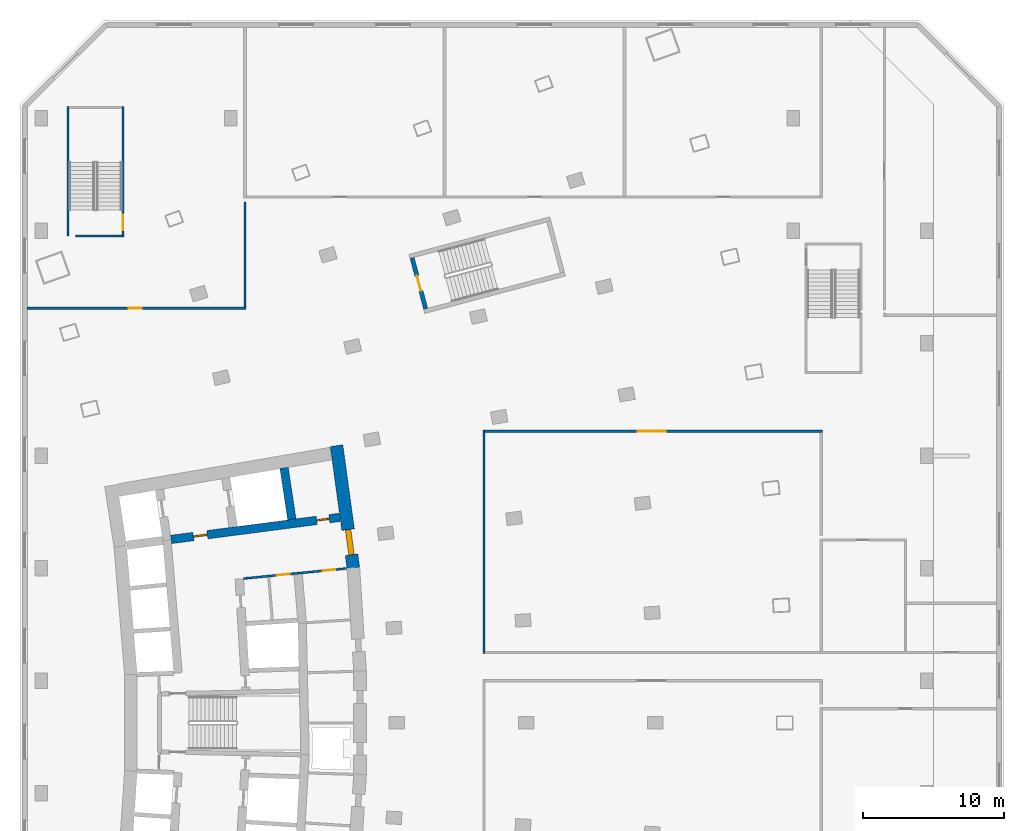
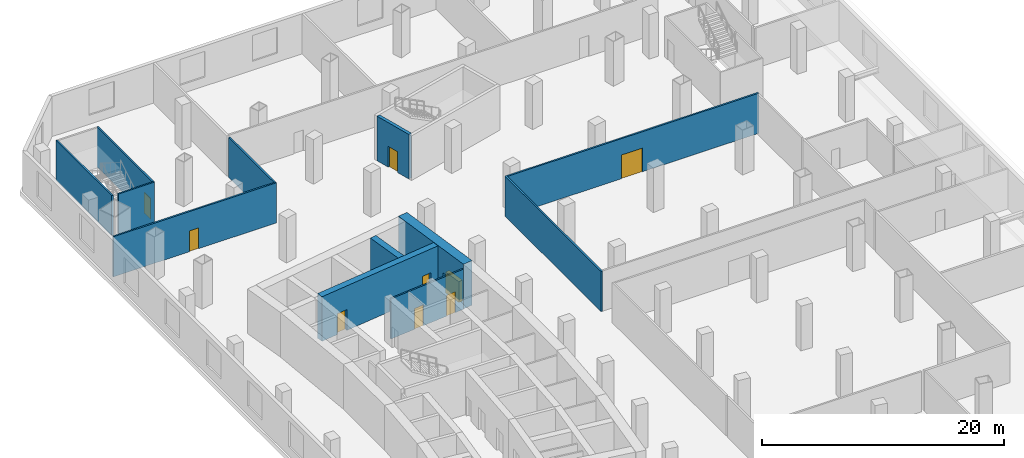
# One storey, part 8 of 16: 12 walls, 9 doors, 9 openings.
"""IFC4 building model written with IfcOpenShell, lengths in metres."""

from ifc_helpers import new_model, si_unit, direction, frame, frame_2d, origin, place, context, subcontext, project, spatial, rectangle, extrude, material, layer, layer_set, type_object, element, fill, save


model = new_model("IFC4")

# Units and contexts
model_context = context("Model", 3, precision=1e-05, world=origin(), true_north=direction((0.0, 1.0)))
body_context = subcontext(model_context, "Body", "Model", "MODEL_VIEW")
ifc_project = project(units=[si_unit("LENGTHUNIT", "METRE"), si_unit("AREAUNIT", "SQUARE_METRE"), si_unit("VOLUMEUNIT", "CUBIC_METRE"), si_unit("PLANEANGLEUNIT", "RADIAN"), si_unit("MASSUNIT", "GRAM", prefix="KILO")], contexts=[model_context])

# Site, building, storey
site_placement = place(None, origin())
site = spatial("IfcSite", under=ifc_project, at=site_placement, CompositionType="ELEMENT")
building_placement = place(site_placement, origin())
building = spatial("IfcBuilding", under=site, at=building_placement, Name="Alderwake Tower", CompositionType="ELEMENT")
storey_placement = place(building_placement, frame((0.0, 0.0, 18.5)))
storey = spatial("IfcBuildingStorey", under=building, at=storey_placement, Name="L03", CompositionType="ELEMENT", Elevation=18.5)

# Wall, openings, doors
ifc_material_1 = material(Name="Gypsum shaft wall system, rated")
ifc_layer_1 = layer(ifc_material_1, 0.14990234375)
ifc_layer_set_1 = layer_set([ifc_layer_1], Name="Core room partition 150")
wall_type_1 = type_object("IfcWallType", Name="Core room partition 150", PredefinedType="PARTITIONING", material=ifc_layer_set_1)
wall_1_placement = place(storey_placement, frame((32.233642578125, 71.982177734375, 0.0), z_axis=(0.0, 0.0, 1.0), x_axis=(-0.995245540971, -0.097397706226, 0.0)))
wall_1 = element("IfcWall", 1, at=wall_1_placement, inside=storey, type_object=wall_type_1, Name="CW/L03/PR+102_+86", PredefinedType="PARTITIONING", context=body_context, shape_type="SweptSolid", body=[
    extrude(rectangle(XDim=7.36962890625, YDim=0.14990234375, at=frame_2d((3.684814453125, 0.0))), origin(), (0.0, 0.0, 1.0), 4.050048828125),
])
opening_1_placement = place(wall_1_placement, frame((4.069580078125, 0.0, 0.0)))
opening_1 = element("IfcOpeningElement", 2, at=opening_1_placement, cuts=wall_1, Name="Opening C022", PredefinedType="OPENING", context=body_context, shape_type="SweptSolid", body=[
    extrude(rectangle(XDim=0.89990234375, YDim=2.10009765625, at=frame_2d((0.449951171875, 1.050048828125))), frame((0.0, 0.0849609375, 0.0), z_axis=(0.0, -1.0, 0.0), x_axis=(1.0, 0.0, 0.0)), (0.0, 0.0, 1.0), 0.169921875),
])
opening_2_placement = place(wall_1_placement, frame((0.819580078125, 0.0, 0.0)))
opening_2 = element("IfcOpeningElement", 3, at=opening_2_placement, cuts=wall_1, Name="Opening C036", PredefinedType="OPENING", context=body_context, shape_type="SweptSolid", body=[
    extrude(rectangle(XDim=0.89990234375, YDim=2.10009765625, at=frame_2d((0.449951171875, 1.050048828125))), frame((0.0, 0.0849609375, 0.0), z_axis=(0.0, -1.0, 0.0), x_axis=(1.0, 0.0, 0.0)), (0.0, 0.0, 1.0), 0.169921875),
])
ifc_material_2 = material(Name="Painted steel leaf", Category="steel")
door_type_1 = type_object("IfcDoorType", Name="Core room door 900", OperationType="SINGLE_SWING_LEFT", PredefinedType="DOOR", material=ifc_material_2)
door_1_placement = place(opening_1_placement, origin())
door_1 = element("IfcDoor", 4, at=door_1_placement, inside=storey, type_object=door_type_1, Name="Room door", OperationType="SINGLE_SWING_RIGHT", OverallHeight=2.10009765625, OverallWidth=0.89990234375, PredefinedType="DOOR", context=body_context, shape_type="SweptSolid", body=[
    extrude(rectangle(XDim=0.89990234375, YDim=2.10009765625, at=frame_2d((0.449951171875, 1.050048828125))), frame((0.0, 0.02490234375, 0.0), z_axis=(0.0, -1.0, 0.0), x_axis=(1.0, 0.0, 0.0)), (0.0, 0.0, 1.0), 0.050048828125),
])
fill(opening_1, door_1)
door_2_placement = place(opening_2_placement, origin())
door_2 = element("IfcDoor", 5, at=door_2_placement, inside=storey, type_object=door_type_1, Name="Room door", OperationType="SINGLE_SWING_LEFT", OverallHeight=2.10009765625, OverallWidth=0.89990234375, PredefinedType="DOOR", context=body_context, shape_type="SweptSolid", body=[
    extrude(rectangle(XDim=0.89990234375, YDim=2.10009765625, at=frame_2d((0.449951171875, 1.050048828125))), frame((0.0, 0.02490234375, 0.0), z_axis=(0.0, -1.0, 0.0), x_axis=(1.0, 0.0, 0.0)), (0.0, 0.0, 1.0), 0.050048828125),
])
fill(opening_2, door_2)

# Wall, opening, door
ifc_material_3 = material(Name="Concrete C70/85", Category="concrete")
ifc_layer_2 = layer(ifc_material_3, 0.89990234375)
ifc_layer_set_2 = layer_set([ifc_layer_2], Name="Core wall outer 900 C70-85")
wall_type_2 = type_object("IfcWallType", Name="Core wall outer 900 C70-85", PredefinedType="SHEAR", material=ifc_layer_set_2)
wall_2_placement = place(storey_placement, frame((31.520263671875, 80.7177734375, 0.0), z_axis=(0.0, 0.0, 1.0), x_axis=(0.135844728876, -0.990730139663, 0.0)))
wall_2 = element("IfcWall", 6, at=wall_2_placement, inside=storey, type_object=wall_type_2, Name="Core wall CW.009", PredefinedType="SHEAR", context=body_context, shape_type="SweptSolid", body=[
    extrude(rectangle(XDim=8.78662109375, YDim=0.89990234375, at=frame_2d((4.393310546875, 0.0))), origin(), (0.0, 0.0, 1.0), 4.5),
])
opening_3_placement = place(wall_2_placement, frame((6.02978515625, 0.0, 0.0)))
opening_3 = element("IfcOpeningElement", 7, at=opening_3_placement, cuts=wall_2, Name="Opening C001", PredefinedType="OPENING", context=body_context, shape_type="SweptSolid", body=[
    extrude(rectangle(XDim=1.800048828125, YDim=2.10009765625, at=frame_2d((0.89990234375, 1.050048828125))), frame((0.0, 0.4599609375, 0.0), z_axis=(0.0, -1.0, 0.0), x_axis=(1.0, 0.0, 0.0)), (0.0, 0.0, 1.0), 0.919921875),
])
ifc_material_4 = material(Name="Steel-framed fire door leaves", Category="steel")
door_type_2 = type_object("IfcDoorType", Name="Core double door 1800 fire-rated", OperationType="DOUBLE_DOOR_SINGLE_SWING", PredefinedType="DOOR", material=ifc_material_4)
door_3_placement = place(opening_3_placement, origin())
door_3 = element("IfcDoor", 8, at=door_3_placement, inside=storey, type_object=door_type_2, Name="Lobby double door", OperationType="DOUBLE_DOOR_SINGLE_SWING", OverallHeight=2.10009765625, OverallWidth=1.800048828125, PredefinedType="DOOR", context=body_context, shape_type="SweptSolid", body=[
    extrude(rectangle(XDim=1.800048828125, YDim=2.10009765625, at=frame_2d((0.89990234375, 1.050048828125))), frame((0.0, 0.199951171875, 0.0), z_axis=(0.0, -1.0, 0.0), x_axis=(1.0, 0.0, 0.0)), (0.0, 0.0, 1.0), 0.39990234375),
])
fill(opening_3, door_3)

# Wall
ifc_material_5 = material(Name="Concrete C70/85", Category="concrete")
ifc_layer_3 = layer(ifc_material_5, 0.60009765625)
ifc_layer_set_3 = layer_set([ifc_layer_3], Name="Core wall spine 600 C70-85")
wall_type_3 = type_object("IfcWallType", Name="Core wall spine 600 C70-85", PredefinedType="SHEAR", material=ifc_layer_set_3)
wall_3_placement = place(storey_placement, frame((28.337646484375, 75.472412109375, 0.0), z_axis=(0.0, 0.0, 1.0), x_axis=(-0.149224787751, 0.988803298296, 0.0)))
element("IfcWall", 9, at=wall_3_placement, inside=storey, type_object=wall_type_3, Name="Core wall CW.001", PredefinedType="SHEAR", context=body_context, shape_type="SweptSolid", body=[
    extrude(rectangle(XDim=3.712158203125, YDim=0.60009765625, at=frame_2d((1.85595703125, 0.0))), origin(), (0.0, 0.0, 1.0), 4.5),
])

# Wall, openings, doors
wall_4_placement = place(storey_placement, frame((31.735595703125, 75.6142578125, 0.0), z_axis=(0.0, 0.0, 1.0), x_axis=(-0.991553829991, -0.129695806526, 0.0)))
wall_4 = element("IfcWall", 10, at=wall_4_placement, inside=storey, type_object=wall_type_3, Name="Core wall CW.052", PredefinedType="SHEAR", context=body_context, shape_type="SweptSolid", body=[
    extrude(rectangle(XDim=12.0869140625, YDim=0.60009765625, at=frame_2d((6.04345703125, 0.0))), origin(), (0.0, 0.0, 1.0), 4.5),
])
opening_4_placement = place(wall_4_placement, frame((9.4873046875, 0.0, 0.0)))
opening_4 = element("IfcOpeningElement", 11, at=opening_4_placement, cuts=wall_4, Name="Opening C002", PredefinedType="OPENING", context=body_context, shape_type="SweptSolid", body=[
    extrude(rectangle(XDim=1.0, YDim=2.10009765625, at=frame_2d((0.5, 1.050048828125))), frame((0.0, 0.31005859375, 0.0), z_axis=(0.0, -1.0, 0.0), x_axis=(1.0, 0.0, 0.0)), (0.0, 0.0, 1.0), 0.6201171875),
])
opening_5_placement = place(wall_4_placement, frame((0.7373046875, 0.0, 0.0)))
opening_5 = element("IfcOpeningElement", 12, at=opening_5_placement, cuts=wall_4, Name="Opening C020", PredefinedType="OPENING", context=body_context, shape_type="SweptSolid", body=[
    extrude(rectangle(XDim=0.89990234375, YDim=2.10009765625, at=frame_2d((0.449951171875, 1.050048828125))), frame((0.0, 0.31005859375, 0.0), z_axis=(0.0, -1.0, 0.0), x_axis=(1.0, 0.0, 0.0)), (0.0, 0.0, 1.0), 0.6201171875),
])
door_4_placement = place(opening_5_placement, origin())
door_4 = element("IfcDoor", 13, at=door_4_placement, inside=storey, type_object=door_type_1, Name="Room door", OperationType="SINGLE_SWING_LEFT", OverallHeight=2.10009765625, OverallWidth=0.89990234375, PredefinedType="DOOR", context=body_context, shape_type="SweptSolid", body=[
    extrude(rectangle(XDim=0.89990234375, YDim=2.10009765625, at=frame_2d((0.449951171875, 1.050048828125))), frame((0.0, 0.050048828125, 0.0), z_axis=(0.0, -1.0, 0.0), x_axis=(1.0, 0.0, 0.0)), (0.0, 0.0, 1.0), 0.10009765625),
])
fill(opening_5, door_4)
ifc_material_6 = material(Name="Steel-framed fire door leaf", Category="steel")
door_type_3 = type_object("IfcDoorType", Name="Firefighting lobby door 1000 fire-rated", OperationType="SINGLE_SWING_LEFT", PredefinedType="DOOR", material=ifc_material_6)
door_5_placement = place(opening_4_placement, origin())
door_5 = element("IfcDoor", 14, at=door_5_placement, inside=storey, type_object=door_type_3, Name="Firefighting lobby door", OperationType="SINGLE_SWING_RIGHT", OverallHeight=2.10009765625, OverallWidth=1.0, PredefinedType="DOOR", context=body_context, shape_type="SweptSolid", body=[
    extrude(rectangle(XDim=1.0, YDim=2.10009765625, at=frame_2d((0.5, 1.050048828125))), frame((0.0, 0.050048828125, 0.0), z_axis=(0.0, -1.0, 0.0), x_axis=(1.0, 0.0, 0.0)), (0.0, 0.0, 1.0), 0.10009765625),
])
fill(opening_4, door_5)

# Wall, opening, door
ifc_material_7 = material(Name="Concrete C70/85", Category="concrete")
ifc_layer_4 = layer(ifc_material_7, 0.300048828125)
ifc_layer_set_4 = layer_set([ifc_layer_4], Name="Core wall stair enclosure 300 C70-85")
wall_type_4 = type_object("IfcWallType", Name="Core wall stair enclosure 300 C70-85", PredefinedType="SHEAR", material=ifc_layer_set_4)
wall_5_placement = place(storey_placement, frame((37.8603515625, 90.452392578125, 0.0), z_axis=(0.0, 0.0, 1.0), x_axis=(-0.257411420208, 0.966301899381, 0.0)))
wall_5 = element("IfcWall", 15, at=wall_5_placement, inside=storey, type_object=wall_type_4, Name="Core wall CW.083", PredefinedType="SHEAR", context=body_context, shape_type="SweptSolid", body=[
    extrude(rectangle(XDim=3.750244140625, YDim=0.300048828125, at=frame_2d((1.875, 0.0))), origin(), (0.0, 0.0, 1.0), 4.5),
])
opening_6_placement = place(wall_5_placement, frame((1.324951171875, 0.0, 0.0)))
opening_6 = element("IfcOpeningElement", 16, at=opening_6_placement, cuts=wall_5, Name="Opening C062", PredefinedType="OPENING", context=body_context, shape_type="SweptSolid", body=[
    extrude(rectangle(XDim=1.10009765625, YDim=2.10009765625, at=frame_2d((0.550048828125, 1.050048828125))), frame((0.0, 0.159912109375, 0.0), z_axis=(0.0, -1.0, 0.0), x_axis=(1.0, 0.0, 0.0)), (0.0, 0.0, 1.0), 0.320068359375),
])
ifc_material_8 = material(Name="Steel-framed fire door leaf", Category="steel")
door_type_4 = type_object("IfcDoorType", Name="Core stair door 1100 fire-rated", OperationType="SINGLE_SWING_LEFT", PredefinedType="DOOR", material=ifc_material_8)
door_6_placement = place(opening_6_placement, origin())
door_6 = element("IfcDoor", 17, at=door_6_placement, inside=storey, type_object=door_type_4, Name="Stair door", OperationType="SINGLE_SWING_RIGHT", OverallHeight=2.10009765625, OverallWidth=1.10009765625, PredefinedType="DOOR", context=body_context, shape_type="SweptSolid", body=[
    extrude(rectangle(XDim=1.10009765625, YDim=2.10009765625, at=frame_2d((0.550048828125, 1.050048828125))), frame((0.0, 0.02490234375, 0.0), z_axis=(0.0, -1.0, 0.0), x_axis=(1.0, 0.0, 0.0)), (0.0, 0.0, 1.0), 0.050048828125),
])
fill(opening_6, door_6)

ifc_material_9 = material(Name="Gypsum board on metal studs, rated")
ifc_layer_5 = layer(ifc_material_9, 0.159912109375)
ifc_layer_set_5 = layer_set([ifc_layer_5], Name="Corridor wall 160")
wall_type_5 = type_object("IfcWallType", Name="Corridor wall 160", PredefinedType="PARTITIONING", material=ifc_layer_set_5)
wall_6_placement = place(storey_placement, frame((25.0791015625, 90.5009765625, 0.0), z_axis=(0.0, 0.0, 1.0), x_axis=(-1.0, 0.0, 0.0)))
wall_6 = element("IfcWall", 18, at=wall_6_placement, inside=storey, type_object=wall_type_5, Name="WL/L03/W30", PredefinedType="PARTITIONING", context=body_context, shape_type="SweptSolid", body=[
    extrude(rectangle(XDim=15.578125, YDim=0.159912109375, at=frame_2d((7.7890625, 0.0))), origin(), (0.0, 0.0, 1.0), 4.050048828125),
])
opening_7_placement = place(wall_6_placement, frame((7.428955078125, 0.0, 0.0)))
opening_7 = element("IfcOpeningElement", 19, at=opening_7_placement, cuts=wall_6, Name="Opening L03-03", PredefinedType="OPENING", context=body_context, shape_type="SweptSolid", body=[
    extrude(rectangle(XDim=0.89990234375, YDim=2.10009765625, at=frame_2d((0.449951171875, 1.050048828125))), frame((0.0, 0.08984375, 0.0), z_axis=(0.0, -1.0, 0.0), x_axis=(1.0, 0.0, 0.0)), (0.0, 0.0, 1.0), 0.179931640625),
])
ifc_material_10 = material(Name="Painted timber leaf", Category="wood")
door_type_5 = type_object("IfcDoorType", Name="Room door 900", OperationType="SINGLE_SWING_LEFT", PredefinedType="DOOR", material=ifc_material_10)
door_7_placement = place(opening_7_placement, origin())
door_7 = element("IfcDoor", 20, at=door_7_placement, inside=storey, type_object=door_type_5, Name="DR/L03/03", OperationType="SINGLE_SWING_LEFT", OverallHeight=2.10009765625, OverallWidth=0.89990234375, PredefinedType="DOOR", context=body_context, shape_type="SweptSolid", body=[
    extrude(rectangle(XDim=0.89990234375, YDim=2.10009765625, at=frame_2d((0.449951171875, 1.050048828125))), frame((0.0, 0.02490234375, 0.0), z_axis=(0.0, -1.0, 0.0), x_axis=(1.0, 0.0, 0.0)), (0.0, 0.0, 1.0), 0.050048828125),
])
fill(opening_7, door_7)

# Walls
wall_7_placement = place(storey_placement, frame((24.9990234375, 98.066650390625, 0.0), z_axis=(0.0, 0.0, 1.0), x_axis=(0.0, -1.0, 0.0)))
element("IfcWall", 21, at=wall_7_placement, inside=storey, type_object=wall_type_5, Name="WL/L03/W31", PredefinedType="PARTITIONING", context=body_context, shape_type="SweptSolid", body=[
    extrude(rectangle(XDim=7.485595703125, YDim=0.159912109375, at=frame_2d((3.74267578125, 0.0))), origin(), (0.0, 0.0, 1.0), 4.050048828125),
])
wall_8_placement = place(storey_placement, frame((42.0, 65.919921875, 0.0), z_axis=(0.0, 0.0, 1.0), x_axis=(0.0, 1.0, 0.0)))
element("IfcWall", 22, at=wall_8_placement, inside=storey, type_object=wall_type_5, Name="WL/L03/W38", PredefinedType="PARTITIONING", context=body_context, shape_type="SweptSolid", body=[
    extrude(rectangle(XDim=15.91015625, YDim=0.159912109375, at=frame_2d((7.955078125, 0.0))), origin(), (0.0, 0.0, 1.0), 4.050048828125),
])

# Wall, opening, door
wall_9_placement = place(storey_placement, frame((42.080078125, 81.75, 0.0), z_axis=(0.0, 0.0, 1.0), x_axis=(1.0, 0.0, 0.0)))
wall_9 = element("IfcWall", 23, at=wall_9_placement, inside=storey, type_object=wall_type_5, Name="WL/L03/W39", PredefinedType="PARTITIONING", context=body_context, shape_type="SweptSolid", body=[
    extrude(rectangle(XDim=24.0, YDim=0.159912109375, at=frame_2d((12.0, 0.0))), origin(), (0.0, 0.0, 1.0), 4.050048828125),
])
opening_8_placement = place(wall_9_placement, frame((10.8701171875, 0.0, 0.0)))
opening_8 = element("IfcOpeningElement", 24, at=opening_8_placement, cuts=wall_9, Name="Opening L03-02", PredefinedType="OPENING", context=body_context, shape_type="SweptSolid", body=[
    extrude(rectangle(XDim=2.0, YDim=2.39990234375, at=frame_2d((1.0, 1.199951171875))), frame((0.0, 0.08984375, 0.0), z_axis=(0.0, -1.0, 0.0), x_axis=(1.0, 0.0, 0.0)), (0.0, 0.0, 1.0), 0.179931640625),
])
ifc_material_11 = material(Name="Timber leaves with glazed panels", Category="wood")
door_type_6 = type_object("IfcDoorType", Name="Hall double door 2000", OperationType="DOUBLE_DOOR_SINGLE_SWING", PredefinedType="DOOR", material=ifc_material_11)
door_8_placement = place(opening_8_placement, origin())
door_8 = element("IfcDoor", 25, at=door_8_placement, inside=storey, type_object=door_type_6, Name="DR/L03/02", OperationType="DOUBLE_DOOR_SINGLE_SWING", OverallHeight=2.39990234375, OverallWidth=2.0, PredefinedType="DOOR", context=body_context, shape_type="SweptSolid", body=[
    extrude(rectangle(XDim=2.0, YDim=2.39990234375, at=frame_2d((1.0, 1.199951171875))), frame((0.0, 0.02490234375, 0.0), z_axis=(0.0, -1.0, 0.0), x_axis=(1.0, 0.0, 0.0)), (0.0, 0.0, 1.0), 0.050048828125),
])
fill(opening_8, door_8)

# Walls
ifc_material_12 = material(Name="Gypsum shaft wall system, rated")
ifc_layer_6 = layer(ifc_material_12, 0.14990234375)
ifc_layer_set_6 = layer_set([ifc_layer_6], Name="Riser and shaft wall 150")
wall_type_6 = type_object("IfcWallType", Name="Riser and shaft wall 150", PredefinedType="PARTITIONING", material=ifc_layer_set_6)
wall_10_placement = place(storey_placement, frame((12.947998046875, 95.625, 0.0), z_axis=(0.0, 0.0, 1.0), x_axis=(1.0, 0.0, 0.0)))
element("IfcWall", 26, at=wall_10_placement, inside=storey, type_object=wall_type_6, Name="WL/L03/W12", PredefinedType="PARTITIONING", context=body_context, shape_type="SweptSolid", body=[
    extrude(rectangle(XDim=3.452880859375, YDim=0.14990234375, at=frame_2d((1.7265625, 0.0))), origin(), (0.0, 0.0, 1.0), 4.050048828125),
])
ifc_material_13 = material(Name="Concrete C40/50", Category="concrete")
ifc_layer_7 = layer(ifc_material_13, 0.14990234375)
ifc_layer_set_7 = layer_set([ifc_layer_7], Name="Stair shaft wall 150 C40/50")
wall_type_7 = type_object("IfcWallType", Name="Stair shaft wall 150 C40/50", PredefinedType="SHEAR", material=ifc_layer_set_7)
wall_11_placement = place(storey_placement, frame((12.426025390625, 104.85009765625, 0.0), z_axis=(0.0, 0.0, 1.0), x_axis=(0.0, -1.0, 0.0)))
element("IfcWall", 27, at=wall_11_placement, inside=storey, type_object=wall_type_7, Name="WL/L03/W11", PredefinedType="SHEAR", context=body_context, shape_type="SweptSolid", body=[
    extrude(rectangle(XDim=9.216064453125, YDim=0.14990234375, at=frame_2d((4.60791015625, 0.0))), origin(), (0.0, 0.0, 1.0), 4.050048828125),
])

# Wall, opening, door
wall_12_placement = place(storey_placement, frame((16.325927734375, 95.699951171875, 0.0), z_axis=(0.0, 0.0, 1.0), x_axis=(0.0, 1.0, 0.0)))
wall_12 = element("IfcWall", 28, at=wall_12_placement, inside=storey, type_object=wall_type_7, Name="WL/L03/W15", PredefinedType="SHEAR", context=body_context, shape_type="SweptSolid", body=[
    extrude(rectangle(XDim=9.150146484375, YDim=0.14990234375, at=frame_2d((4.5751953125, 0.0))), origin(), (0.0, 0.0, 1.0), 4.050048828125),
])
opening_9_placement = place(wall_12_placement, frame((0.35009765625, 0.0, 0.0)))
opening_9 = element("IfcOpeningElement", 29, at=opening_9_placement, cuts=wall_12, Name="Opening L03-17", PredefinedType="OPENING", context=body_context, shape_type="SweptSolid", body=[
    extrude(rectangle(XDim=1.10009765625, YDim=2.10009765625, at=frame_2d((0.550048828125, 1.050048828125))), frame((0.0, 0.0849609375, 0.0), z_axis=(0.0, -1.0, 0.0), x_axis=(1.0, 0.0, 0.0)), (0.0, 0.0, 1.0), 0.169921875),
])
ifc_material_14 = material(Name="Steel-framed fire door leaf", Category="steel")
door_type_7 = type_object("IfcDoorType", Name="Stair door 1100 fire-rated", OperationType="SINGLE_SWING_LEFT", PredefinedType="DOOR", material=ifc_material_14)
door_9_placement = place(opening_9_placement, origin())
door_9 = element("IfcDoor", 30, at=door_9_placement, inside=storey, type_object=door_type_7, Name="DR/L03/17", OperationType="SINGLE_SWING_LEFT", OverallHeight=2.10009765625, OverallWidth=1.10009765625, PredefinedType="DOOR", context=body_context, shape_type="SweptSolid", body=[
    extrude(rectangle(XDim=1.10009765625, YDim=2.10009765625, at=frame_2d((0.550048828125, 1.050048828125))), frame((0.0, 0.02490234375, 0.0), z_axis=(0.0, -1.0, 0.0), x_axis=(1.0, 0.0, 0.0)), (0.0, 0.0, 1.0), 0.050048828125),
])
fill(opening_9, door_9)

save(model, "model.ifc")
